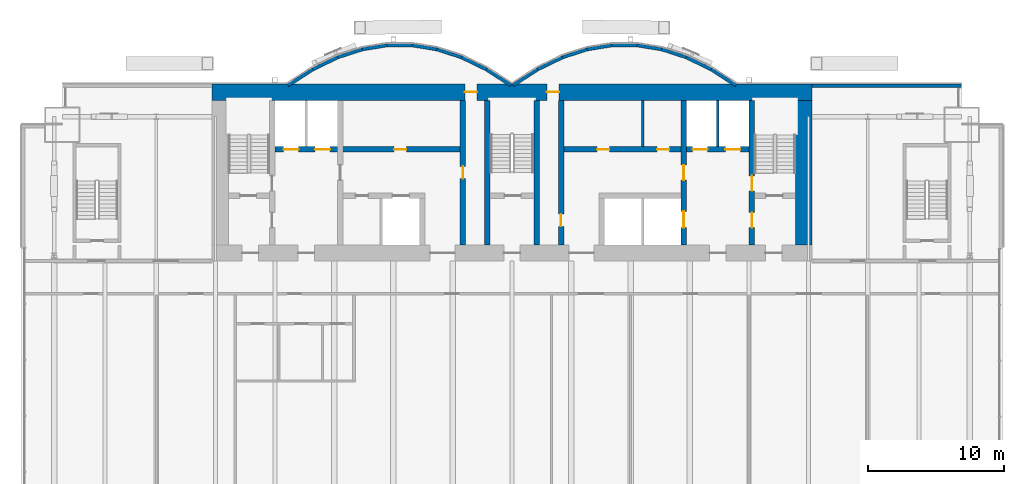
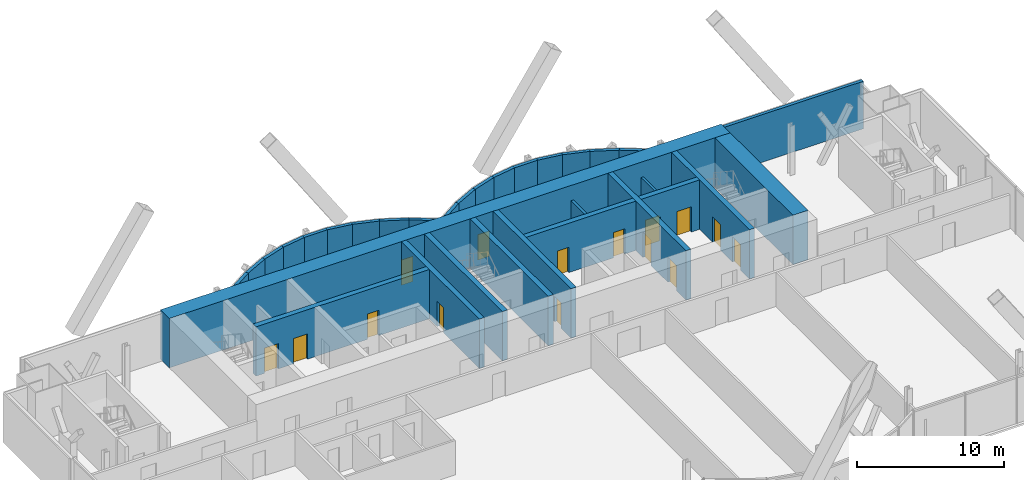
# One storey, part 18 of 22: 31 walls, 15 doors, 15 openings.
"""IFC4 building model written with IfcOpenShell, lengths in metres."""

from ifc_helpers import new_model, si_unit, direction, frame, frame_2d, origin, place, context, subcontext, project, spatial, rectangle, extrude, material, layer, layer_set, layer_usage, type_object, element, fill, save


model = new_model("IFC4")

# Units and contexts
model_context = context("Model", 3, precision=1e-05, world=origin(), true_north=direction((0.0, 1.0)))
body_context = subcontext(model_context, "Body", "Model", "MODEL_VIEW")
ifc_project = project(units=[si_unit("LENGTHUNIT", "METRE"), si_unit("AREAUNIT", "SQUARE_METRE"), si_unit("VOLUMEUNIT", "CUBIC_METRE"), si_unit("PLANEANGLEUNIT", "RADIAN"), si_unit("MASSUNIT", "GRAM", prefix="KILO")], contexts=[model_context])

# Site, building, storey
site_placement = place(None, origin())
site = spatial("IfcSite", under=ifc_project, at=site_placement, CompositionType="ELEMENT")
building_placement = place(site_placement, origin())
building = spatial("IfcBuilding", under=site, at=building_placement, Name="Bicima Exchange Tower", CompositionType="ELEMENT")
storey_placement = place(building_placement, frame((0.0, 0.0, 144.5)))
storey = spatial("IfcBuildingStorey", under=building, at=storey_placement, Name="L31", CompositionType="ELEMENT", Elevation=144.5)

# Walls
ifc_material_1 = material(Name="Gypsum board partition")
ifc_layer_1 = layer(ifc_material_1, 0.199951171875)
ifc_layer_set_1 = layer_set([ifc_layer_1], Name="Gypsum board partition")
wall_type_1 = type_object("IfcWallType", Name="Fire-rated gypsum partition 200 EI120", PredefinedType="PARTITIONING", material=ifc_layer_set_1)
wall_1_placement = place(storey_placement, frame((15.10009765625, -4.60009765625, 0.0), z_axis=(0.0, 0.0, 1.0), x_axis=(0.0, 1.0, 0.0)))
element("IfcWall", 1, at=wall_1_placement, inside=storey, type_object=wall_type_1, Name="partition wall 21", PredefinedType="PARTITIONING", context=body_context, shape_type="SweptSolid", body=[
    extrude(rectangle(XDim=3.400146484375, YDim=0.199951171875, at=frame_2d((1.7001953125, 0.0))), origin(), (0.0, 0.0, 1.0), 2.84033203125),
])
ifc_layer_2 = layer(ifc_material_1, 0.199951171875)
ifc_layer_set_2 = layer_set([ifc_layer_2], Name="Gypsum board partition")
wall_type_2 = type_object("IfcWallType", Name="Fire-rated gypsum partition 200 EI60", PredefinedType="PARTITIONING", material=ifc_layer_set_2)
wall_2_placement = place(storey_placement, frame((9.60009765625, -4.60009765625, 0.0), z_axis=(0.0, 0.0, 1.0), x_axis=(0.0, 1.0, 0.0)))
element("IfcWall", 2, at=wall_2_placement, inside=storey, type_object=wall_type_2, Name="partition wall 19", PredefinedType="PARTITIONING", context=body_context, shape_type="SweptSolid", body=[
    extrude(rectangle(XDim=3.400146484375, YDim=0.199951171875, at=frame_2d((1.7001953125, 0.0))), origin(), (0.0, 0.0, 1.0), 2.84033203125),
])

# Wall, openings, doors
ifc_material_2 = material(Name="Concrete C50/60", Category="concrete")
ifc_layer_3 = layer(ifc_material_2, 1.199951171875)
ifc_layer_set_3 = layer_set([ifc_layer_3], Name="Concrete C50/60")
wall_type_3 = type_object("IfcWallType", Name="RC core wall 1200 C50/60", PredefinedType="SHEAR", material=ifc_layer_set_3)
wall_3_placement = place(storey_placement, frame((-22.0, -0.60009765625, 0.0), z_axis=(0.0, 0.0, 1.0), x_axis=(1.0, 0.0, 0.0)))
wall_3 = element("IfcWall", 3, at=wall_3_placement, inside=storey, type_object=wall_type_3, Name="Core wall north", PredefinedType="SHEAR", context=body_context, shape_type="SweptSolid", body=[
    extrude(rectangle(XDim=44.0, YDim=1.199951171875, at=frame_2d((22.0, 0.0))), origin(), (0.0, 0.0, 1.0), 4.10009765625),
])
opening_1_placement = place(wall_3_placement, frame((18.550048828125, 0.0, 0.0)))
opening_1 = element("IfcOpeningElement", 4, at=opening_1_placement, cuts=wall_3, Name="Opening L31-C16", PredefinedType="OPENING", context=body_context, shape_type="SweptSolid", body=[
    extrude(rectangle(XDim=0.89990234375, YDim=2.10009765625, at=frame_2d((0.449951171875, 1.050048828125))), frame((0.0, 0.61181640625, 0.0), z_axis=(0.0, -1.0, 0.0), x_axis=(1.0, 0.0, 0.0)), (0.0, 0.0, 1.0), 1.223876953125),
])
opening_2_placement = place(wall_3_placement, frame((24.550048828125, 0.0, 0.0)))
opening_2 = element("IfcOpeningElement", 5, at=opening_2_placement, cuts=wall_3, Name="Opening L31-C17", PredefinedType="OPENING", context=body_context, shape_type="SweptSolid", body=[
    extrude(rectangle(XDim=0.89990234375, YDim=2.10009765625, at=frame_2d((0.449951171875, 1.050048828125))), frame((0.0, 0.61181640625, 0.0), z_axis=(0.0, -1.0, 0.0), x_axis=(1.0, 0.0, 0.0)), (0.0, 0.0, 1.0), 1.223876953125),
])
ifc_material_3 = material(Name="Steel fire door leaf", Category="steel")
door_type_1 = type_object("IfcDoorType", Name="Door 900 swing FD30S", OperationType="SINGLE_SWING_LEFT", PredefinedType="DOOR", material=ifc_material_3)
door_1_placement = place(opening_1_placement, origin())
door_1 = element("IfcDoor", 6, at=door_1_placement, inside=storey, type_object=door_type_1, Name="Core door", OperationType="SINGLE_SWING_LEFT", OverallHeight=2.10009765625, OverallWidth=0.89990234375, PredefinedType="DOOR", context=body_context, shape_type="SweptSolid", body=[
    extrude(rectangle(XDim=0.89990234375, YDim=2.10009765625, at=frame_2d((0.449951171875, 1.050048828125))), frame((0.0, 0.02490234375, 0.0), z_axis=(0.0, -1.0, 0.0), x_axis=(1.0, 0.0, 0.0)), (0.0, 0.0, 1.0), 0.050048828125),
])
fill(opening_1, door_1)
door_2_placement = place(opening_2_placement, origin())
door_2 = element("IfcDoor", 7, at=door_2_placement, inside=storey, type_object=door_type_1, Name="Core door", OperationType="SINGLE_SWING_LEFT", OverallHeight=2.10009765625, OverallWidth=0.89990234375, PredefinedType="DOOR", context=body_context, shape_type="SweptSolid", body=[
    extrude(rectangle(XDim=0.89990234375, YDim=2.10009765625, at=frame_2d((0.449951171875, 1.050048828125))), frame((0.0, 0.02490234375, 0.0), z_axis=(0.0, -1.0, 0.0), x_axis=(1.0, 0.0, 0.0)), (0.0, 0.0, 1.0), 0.050048828125),
])
fill(opening_2, door_2)

# Wall
wall_4_placement = place(storey_placement, frame((21.39990234375, -11.800048828125, 0.0), z_axis=(0.0, 0.0, 1.0), x_axis=(0.0, 1.0, 0.0)))
element("IfcWall", 8, at=wall_4_placement, inside=storey, type_object=wall_type_3, Name="Core wall east", PredefinedType="SHEAR", context=body_context, shape_type="SweptSolid", body=[
    extrude(rectangle(XDim=10.60009765625, YDim=1.199951171875, at=frame_2d((5.300048828125, 0.0))), origin(), (0.0, 0.0, 1.0), 4.10009765625),
])

# Wall, openings, doors
ifc_layer_4 = layer(ifc_material_2, 0.39990234375)
ifc_layer_set_4 = layer_set([ifc_layer_4], Name="Concrete C50/60")
wall_type_4 = type_object("IfcWallType", Name="RC core wall 400 C50/60", PredefinedType="SHEAR", material=ifc_layer_set_4)
wall_5_placement = place(storey_placement, frame((-17.39990234375, -4.800048828125, 0.0), z_axis=(0.0, 0.0, 1.0), x_axis=(1.0, 0.0, 0.0)))
wall_5 = element("IfcWall", 9, at=wall_5_placement, inside=storey, type_object=wall_type_4, Name="shear wall 6", PredefinedType="SHEAR", context=body_context, shape_type="SweptSolid", body=[
    extrude(rectangle(XDim=13.599853515625, YDim=0.39990234375, at=frame_2d((6.7998046875, 0.0))), origin(), (0.0, 0.0, 1.0), 4.10009765625),
])
opening_3_placement = place(wall_5_placement, frame((0.64990234375, 0.0, 0.0)))
opening_3 = element("IfcOpeningElement", 10, at=opening_3_placement, cuts=wall_5, Name="Opening LD-FF1-L31", PredefinedType="OPENING", context=body_context, shape_type="SweptSolid", body=[
    extrude(rectangle(XDim=1.10009765625, YDim=2.10009765625, at=frame_2d((0.550048828125, 1.050048828125))), frame((0.0, 0.2119140625, 0.0), z_axis=(0.0, -1.0, 0.0), x_axis=(1.0, 0.0, 0.0)), (0.0, 0.0, 1.0), 0.423828125),
])
opening_4_placement = place(wall_5_placement, frame((2.949951171875, 0.0, 0.0)))
opening_4 = element("IfcOpeningElement", 11, at=opening_4_placement, cuts=wall_5, Name="Opening LD-FF3-L31", PredefinedType="OPENING", context=body_context, shape_type="SweptSolid", body=[
    extrude(rectangle(XDim=1.10009765625, YDim=2.10009765625, at=frame_2d((0.550048828125, 1.050048828125))), frame((0.0, 0.2119140625, 0.0), z_axis=(0.0, -1.0, 0.0), x_axis=(1.0, 0.0, 0.0)), (0.0, 0.0, 1.0), 0.423828125),
])
opening_5_placement = place(wall_5_placement, frame((8.75, 0.0, 0.0)))
opening_5 = element("IfcOpeningElement", 12, at=opening_5_placement, cuts=wall_5, Name="Opening L31-C12", PredefinedType="OPENING", context=body_context, shape_type="SweptSolid", body=[
    extrude(rectangle(XDim=0.89990234375, YDim=2.10009765625, at=frame_2d((0.449951171875, 1.050048828125))), frame((0.0, 0.2119140625, 0.0), z_axis=(0.0, -1.0, 0.0), x_axis=(1.0, 0.0, 0.0)), (0.0, 0.0, 1.0), 0.423828125),
])
door_3_placement = place(opening_5_placement, origin())
door_3 = element("IfcDoor", 13, at=door_3_placement, inside=storey, type_object=door_type_1, Name="Core door", OperationType="SINGLE_SWING_RIGHT", OverallHeight=2.10009765625, OverallWidth=0.89990234375, PredefinedType="DOOR", context=body_context, shape_type="SweptSolid", body=[
    extrude(rectangle(XDim=0.89990234375, YDim=2.10009765625, at=frame_2d((0.449951171875, 1.050048828125))), frame((0.0, 0.02490234375, 0.0), z_axis=(0.0, -1.0, 0.0), x_axis=(1.0, 0.0, 0.0)), (0.0, 0.0, 1.0), 0.050048828125),
])
fill(opening_5, door_3)
ifc_material_4 = material(Name="Stainless steel", Category="steel")
door_type_2 = type_object("IfcDoorType", Name="Lift landing door 1100 sliding", OperationType="DOUBLE_DOOR_SLIDING", PredefinedType="DOOR", material=ifc_material_4)
door_4_placement = place(opening_3_placement, origin())
door_4 = element("IfcDoor", 14, at=door_4_placement, inside=storey, type_object=door_type_2, Name="Lift landing door FF1", OperationType="DOUBLE_DOOR_SLIDING", OverallHeight=2.10009765625, OverallWidth=1.10009765625, PredefinedType="DOOR", context=body_context, shape_type="SweptSolid", body=[
    extrude(rectangle(XDim=1.10009765625, YDim=2.10009765625, at=frame_2d((0.550048828125, 1.050048828125))), frame((0.0, 0.02490234375, 0.0), z_axis=(0.0, -1.0, 0.0), x_axis=(1.0, 0.0, 0.0)), (0.0, 0.0, 1.0), 0.050048828125),
])
fill(opening_3, door_4)
door_5_placement = place(opening_4_placement, origin())
door_5 = element("IfcDoor", 15, at=door_5_placement, inside=storey, type_object=door_type_2, Name="Lift landing door FF3", OperationType="DOUBLE_DOOR_SLIDING", OverallHeight=2.10009765625, OverallWidth=1.10009765625, PredefinedType="DOOR", context=body_context, shape_type="SweptSolid", body=[
    extrude(rectangle(XDim=1.10009765625, YDim=2.10009765625, at=frame_2d((0.550048828125, 1.050048828125))), frame((0.0, 0.02490234375, 0.0), z_axis=(0.0, -1.0, 0.0), x_axis=(1.0, 0.0, 0.0)), (0.0, 0.0, 1.0), 0.050048828125),
])
fill(opening_4, door_5)

wall_6_placement = place(storey_placement, frame((3.800048828125, -4.800048828125, 0.0), z_axis=(0.0, 0.0, 1.0), x_axis=(1.0, 0.0, 0.0)))
wall_6 = element("IfcWall", 16, at=wall_6_placement, inside=storey, type_object=wall_type_4, Name="shear wall 7", PredefinedType="SHEAR", context=body_context, shape_type="SweptSolid", body=[
    extrude(rectangle(XDim=13.599853515625, YDim=0.39990234375, at=frame_2d((6.7998046875, 0.0))), origin(), (0.0, 0.0, 1.0), 4.10009765625),
])
opening_6_placement = place(wall_6_placement, frame((9.449951171875, 0.0, 0.0)))
opening_6 = element("IfcOpeningElement", 17, at=opening_6_placement, cuts=wall_6, Name="Opening LD-FF2-L31", PredefinedType="OPENING", context=body_context, shape_type="SweptSolid", body=[
    extrude(rectangle(XDim=1.10009765625, YDim=2.10009765625, at=frame_2d((0.550048828125, 1.050048828125))), frame((0.0, 0.2119140625, 0.0), z_axis=(0.0, -1.0, 0.0), x_axis=(1.0, 0.0, 0.0)), (0.0, 0.0, 1.0), 0.423828125),
])
opening_7_placement = place(wall_6_placement, frame((11.85009765625, 0.0, 0.0)))
opening_7 = element("IfcOpeningElement", 18, at=opening_7_placement, cuts=wall_6, Name="Opening LD-SV1-L31", PredefinedType="OPENING", context=body_context, shape_type="SweptSolid", body=[
    extrude(rectangle(XDim=1.10009765625, YDim=2.10009765625, at=frame_2d((0.550048828125, 1.050048828125))), frame((0.0, 0.2119140625, 0.0), z_axis=(0.0, -1.0, 0.0), x_axis=(1.0, 0.0, 0.0)), (0.0, 0.0, 1.0), 0.423828125),
])
opening_8_placement = place(wall_6_placement, frame((2.449951171875, 0.0, 0.0)))
opening_8 = element("IfcOpeningElement", 19, at=opening_8_placement, cuts=wall_6, Name="Opening L31-C13", PredefinedType="OPENING", context=body_context, shape_type="SweptSolid", body=[
    extrude(rectangle(XDim=0.89990234375, YDim=2.10009765625, at=frame_2d((0.449951171875, 1.050048828125))), frame((0.0, 0.2119140625, 0.0), z_axis=(0.0, -1.0, 0.0), x_axis=(1.0, 0.0, 0.0)), (0.0, 0.0, 1.0), 0.423828125),
])
opening_9_placement = place(wall_6_placement, frame((6.85009765625, 0.0, 0.0)))
opening_9 = element("IfcOpeningElement", 20, at=opening_9_placement, cuts=wall_6, Name="Opening L31-C14", PredefinedType="OPENING", context=body_context, shape_type="SweptSolid", body=[
    extrude(rectangle(XDim=0.89990234375, YDim=2.10009765625, at=frame_2d((0.449951171875, 1.050048828125))), frame((0.0, 0.2119140625, 0.0), z_axis=(0.0, -1.0, 0.0), x_axis=(1.0, 0.0, 0.0)), (0.0, 0.0, 1.0), 0.423828125),
])
door_6_placement = place(opening_8_placement, origin())
door_6 = element("IfcDoor", 21, at=door_6_placement, inside=storey, type_object=door_type_1, Name="Core door", OperationType="SINGLE_SWING_LEFT", OverallHeight=2.10009765625, OverallWidth=0.89990234375, PredefinedType="DOOR", context=body_context, shape_type="SweptSolid", body=[
    extrude(rectangle(XDim=0.89990234375, YDim=2.10009765625, at=frame_2d((0.449951171875, 1.050048828125))), frame((0.0, 0.02490234375, 0.0), z_axis=(0.0, -1.0, 0.0), x_axis=(1.0, 0.0, 0.0)), (0.0, 0.0, 1.0), 0.050048828125),
])
fill(opening_8, door_6)
door_7_placement = place(opening_9_placement, origin())
door_7 = element("IfcDoor", 22, at=door_7_placement, inside=storey, type_object=door_type_1, Name="Core door", OperationType="SINGLE_SWING_RIGHT", OverallHeight=2.10009765625, OverallWidth=0.89990234375, PredefinedType="DOOR", context=body_context, shape_type="SweptSolid", body=[
    extrude(rectangle(XDim=0.89990234375, YDim=2.10009765625, at=frame_2d((0.449951171875, 1.050048828125))), frame((0.0, 0.02490234375, 0.0), z_axis=(0.0, -1.0, 0.0), x_axis=(1.0, 0.0, 0.0)), (0.0, 0.0, 1.0), 0.050048828125),
])
fill(opening_9, door_7)
door_8_placement = place(opening_6_placement, origin())
door_8 = element("IfcDoor", 23, at=door_8_placement, inside=storey, type_object=door_type_2, Name="Lift landing door FF2", OperationType="DOUBLE_DOOR_SLIDING", OverallHeight=2.10009765625, OverallWidth=1.10009765625, PredefinedType="DOOR", context=body_context, shape_type="SweptSolid", body=[
    extrude(rectangle(XDim=1.10009765625, YDim=2.10009765625, at=frame_2d((0.550048828125, 1.050048828125))), frame((0.0, 0.02490234375, 0.0), z_axis=(0.0, -1.0, 0.0), x_axis=(1.0, 0.0, 0.0)), (0.0, 0.0, 1.0), 0.050048828125),
])
fill(opening_6, door_8)
door_9_placement = place(opening_7_placement, origin())
door_9 = element("IfcDoor", 24, at=door_9_placement, inside=storey, type_object=door_type_2, Name="Lift landing door SV1", OperationType="DOUBLE_DOOR_SLIDING", OverallHeight=2.10009765625, OverallWidth=1.10009765625, PredefinedType="DOOR", context=body_context, shape_type="SweptSolid", body=[
    extrude(rectangle(XDim=1.10009765625, YDim=2.10009765625, at=frame_2d((0.550048828125, 1.050048828125))), frame((0.0, 0.02490234375, 0.0), z_axis=(0.0, -1.0, 0.0), x_axis=(1.0, 0.0, 0.0)), (0.0, 0.0, 1.0), 0.050048828125),
])
fill(opening_7, door_9)

# Wall, opening, door
wall_7_placement = place(storey_placement, frame((-3.60009765625, -11.800048828125, 0.0), z_axis=(0.0, 0.0, 1.0), x_axis=(0.0, 1.0, 0.0)))
wall_7 = element("IfcWall", 25, at=wall_7_placement, inside=storey, type_object=wall_type_4, Name="shear wall 13", PredefinedType="SHEAR", context=body_context, shape_type="SweptSolid", body=[
    extrude(rectangle(XDim=10.60009765625, YDim=0.39990234375, at=frame_2d((5.300048828125, 0.0))), origin(), (0.0, 0.0, 1.0), 4.10009765625),
])
opening_10_placement = place(wall_7_placement, frame((4.85009765625, 0.0, 0.0)))
opening_10 = element("IfcOpeningElement", 26, at=opening_10_placement, cuts=wall_7, Name="Opening L31-C10", PredefinedType="OPENING", context=body_context, shape_type="SweptSolid", body=[
    extrude(rectangle(XDim=0.89990234375, YDim=2.10009765625, at=frame_2d((0.449951171875, 1.050048828125))), frame((0.0, 0.2119140625, 0.0), z_axis=(0.0, -1.0, 0.0), x_axis=(1.0, 0.0, 0.0)), (0.0, 0.0, 1.0), 0.423828125),
])
door_10_placement = place(opening_10_placement, frame((0.89990234375, 0.0, 0.0), z_axis=(0.0, 0.0, 1.0), x_axis=(-1.0, 0.0, 0.0)))
door_10 = element("IfcDoor", 27, at=door_10_placement, inside=storey, type_object=door_type_1, Name="Core door", OperationType="SINGLE_SWING_LEFT", OverallHeight=2.10009765625, OverallWidth=0.89990234375, PredefinedType="DOOR", context=body_context, shape_type="SweptSolid", body=[
    extrude(rectangle(XDim=0.89990234375, YDim=2.10009765625, at=frame_2d((0.449951171875, 1.050048828125))), frame((0.0, 0.02490234375, 0.0), z_axis=(0.0, -1.0, 0.0), x_axis=(1.0, 0.0, 0.0)), (0.0, 0.0, 1.0), 0.050048828125),
])
fill(opening_10, door_10)

# Walls
for number, where, z_axis, x_axis, name in (
    (28, (-1.800048828125, -11.800048828125, 0.0), (0.0, 0.0, 1.0), (0.0, 1.0, 0.0), "stair wall 14"),
    (29, (1.800048828125, -11.800048828125, 0.0), (0.0, 0.0, 1.0), (0.0, 1.0, 0.0), "stair wall 15"),
):
    element("IfcWall", number, at=place(storey_placement, frame(where, z_axis=z_axis, x_axis=x_axis)), inside=storey, type_object=wall_type_4, Name=name, PredefinedType="SHEAR", context=body_context, shape_type="SweptSolid", body=[
        extrude(rectangle(XDim=10.60009765625, YDim=0.39990234375, at=frame_2d((5.300048828125, 0.0))), origin(), (0.0, 0.0, 1.0), 4.10009765625),
    ])

# Wall, opening, door
wall_8_placement = place(storey_placement, frame((3.60009765625, -11.800048828125, 0.0), z_axis=(0.0, 0.0, 1.0), x_axis=(0.0, 1.0, 0.0)))
wall_8 = element("IfcWall", 30, at=wall_8_placement, inside=storey, type_object=wall_type_4, Name="shear wall 16", PredefinedType="SHEAR", context=body_context, shape_type="SweptSolid", body=[
    extrude(rectangle(XDim=10.60009765625, YDim=0.39990234375, at=frame_2d((5.300048828125, 0.0))), origin(), (0.0, 0.0, 1.0), 4.10009765625),
])
opening_11_placement = place(wall_8_placement, frame((1.35009765625, 0.0, 0.0)))
opening_11 = element("IfcOpeningElement", 31, at=opening_11_placement, cuts=wall_8, Name="Opening L31-C11", PredefinedType="OPENING", context=body_context, shape_type="SweptSolid", body=[
    extrude(rectangle(XDim=0.89990234375, YDim=2.10009765625, at=frame_2d((0.449951171875, 1.050048828125))), frame((0.0, 0.2119140625, 0.0), z_axis=(0.0, -1.0, 0.0), x_axis=(1.0, 0.0, 0.0)), (0.0, 0.0, 1.0), 0.423828125),
])
door_11_placement = place(opening_11_placement, origin())
door_11 = element("IfcDoor", 32, at=door_11_placement, inside=storey, type_object=door_type_1, Name="Core door", OperationType="SINGLE_SWING_LEFT", OverallHeight=2.10009765625, OverallWidth=0.89990234375, PredefinedType="DOOR", context=body_context, shape_type="SweptSolid", body=[
    extrude(rectangle(XDim=0.89990234375, YDim=2.10009765625, at=frame_2d((0.449951171875, 1.050048828125))), frame((0.0, 0.02490234375, 0.0), z_axis=(0.0, -1.0, 0.0), x_axis=(1.0, 0.0, 0.0)), (0.0, 0.0, 1.0), 0.050048828125),
])
fill(opening_11, door_11)

# Wall, openings, doors
wall_9_placement = place(storey_placement, frame((12.60009765625, -11.800048828125, 0.0), z_axis=(0.0, 0.0, 1.0), x_axis=(0.0, 1.0, 0.0)))
wall_9 = element("IfcWall", 33, at=wall_9_placement, inside=storey, type_object=wall_type_4, Name="shear wall 20", PredefinedType="SHEAR", context=body_context, shape_type="SweptSolid", body=[
    extrude(rectangle(XDim=10.60009765625, YDim=0.39990234375, at=frame_2d((5.300048828125, 0.0))), origin(), (0.0, 0.0, 1.0), 4.10009765625),
])
opening_12_placement = place(wall_9_placement, frame((1.25, 0.0, 0.0)))
opening_12 = element("IfcOpeningElement", 34, at=opening_12_placement, cuts=wall_9, Name="Opening LD-MB2-L31", PredefinedType="OPENING", context=body_context, shape_type="SweptSolid", body=[
    extrude(rectangle(XDim=1.199951171875, YDim=2.10009765625, at=frame_2d((0.60009765625, 1.050048828125))), frame((0.0, 0.2119140625, 0.0), z_axis=(0.0, -1.0, 0.0), x_axis=(1.0, 0.0, 0.0)), (0.0, 0.0, 1.0), 0.423828125),
])
opening_13_placement = place(wall_9_placement, frame((4.75, 0.0, 0.0)))
opening_13 = element("IfcOpeningElement", 35, at=opening_13_placement, cuts=wall_9, Name="Opening L31-C09", PredefinedType="OPENING", context=body_context, shape_type="SweptSolid", body=[
    extrude(rectangle(XDim=1.10009765625, YDim=2.10009765625, at=frame_2d((0.550048828125, 1.050048828125))), frame((0.0, 0.2119140625, 0.0), z_axis=(0.0, -1.0, 0.0), x_axis=(1.0, 0.0, 0.0)), (0.0, 0.0, 1.0), 0.423828125),
])
door_type_3 = type_object("IfcDoorType", Name="Door 1100 swing FD60S", OperationType="SINGLE_SWING_LEFT", PredefinedType="DOOR", material=ifc_material_3)
door_12_placement = place(opening_13_placement, frame((1.10009765625, 0.0, 0.0), z_axis=(0.0, 0.0, 1.0), x_axis=(-1.0, 0.0, 0.0)))
door_12 = element("IfcDoor", 36, at=door_12_placement, inside=storey, type_object=door_type_3, Name="Core door", OperationType="SINGLE_SWING_RIGHT", OverallHeight=2.10009765625, OverallWidth=1.10009765625, PredefinedType="DOOR", context=body_context, shape_type="SweptSolid", body=[
    extrude(rectangle(XDim=1.10009765625, YDim=2.10009765625, at=frame_2d((0.550048828125, 1.050048828125))), frame((0.0, 0.02490234375, 0.0), z_axis=(0.0, -1.0, 0.0), x_axis=(1.0, 0.0, 0.0)), (0.0, 0.0, 1.0), 0.050048828125),
])
fill(opening_13, door_12)
door_type_4 = type_object("IfcDoorType", Name="Lift landing door 1200 sliding", OperationType="DOUBLE_DOOR_SLIDING", PredefinedType="DOOR", material=ifc_material_4)
door_13_placement = place(opening_12_placement, origin())
door_13 = element("IfcDoor", 37, at=door_13_placement, inside=storey, type_object=door_type_4, Name="Lift landing door MB2", OperationType="DOUBLE_DOOR_SLIDING", OverallHeight=2.10009765625, OverallWidth=1.199951171875, PredefinedType="DOOR", context=body_context, shape_type="SweptSolid", body=[
    extrude(rectangle(XDim=1.199951171875, YDim=2.10009765625, at=frame_2d((0.60009765625, 1.050048828125))), frame((0.0, 0.02490234375, 0.0), z_axis=(0.0, -1.0, 0.0), x_axis=(1.0, 0.0, 0.0)), (0.0, 0.0, 1.0), 0.050048828125),
])
fill(opening_12, door_13)

wall_10_placement = place(storey_placement, frame((17.60009765625, -11.800048828125, 0.0), z_axis=(0.0, 0.0, 1.0), x_axis=(0.0, 1.0, 0.0)))
wall_10 = element("IfcWall", 38, at=wall_10_placement, inside=storey, type_object=wall_type_4, Name="stair wall 22", PredefinedType="SHEAR", context=body_context, shape_type="SweptSolid", body=[
    extrude(rectangle(XDim=10.60009765625, YDim=0.39990234375, at=frame_2d((5.300048828125, 0.0))), origin(), (0.0, 0.0, 1.0), 4.10009765625),
])
opening_14_placement = place(wall_10_placement, frame((1.25, 0.0, 0.0)))
opening_14 = element("IfcOpeningElement", 39, at=opening_14_placement, cuts=wall_10, Name="Opening L31-C05", PredefinedType="OPENING", context=body_context, shape_type="SweptSolid", body=[
    extrude(rectangle(XDim=1.10009765625, YDim=2.10009765625, at=frame_2d((0.550048828125, 1.050048828125))), frame((0.0, 0.2119140625, 0.0), z_axis=(0.0, -1.0, 0.0), x_axis=(1.0, 0.0, 0.0)), (0.0, 0.0, 1.0), 0.423828125),
])
opening_15_placement = place(wall_10_placement, frame((3.949951171875, 0.0, 0.0)))
opening_15 = element("IfcOpeningElement", 40, at=opening_15_placement, cuts=wall_10, Name="Opening L31-C08", PredefinedType="OPENING", context=body_context, shape_type="SweptSolid", body=[
    extrude(rectangle(XDim=1.10009765625, YDim=2.10009765625, at=frame_2d((0.550048828125, 1.050048828125))), frame((0.0, 0.2119140625, 0.0), z_axis=(0.0, -1.0, 0.0), x_axis=(1.0, 0.0, 0.0)), (0.0, 0.0, 1.0), 0.423828125),
])
door_14_placement = place(opening_14_placement, origin())
door_14 = element("IfcDoor", 41, at=door_14_placement, inside=storey, type_object=door_type_3, Name="Core door", OperationType="SINGLE_SWING_LEFT", OverallHeight=2.10009765625, OverallWidth=1.10009765625, PredefinedType="DOOR", context=body_context, shape_type="SweptSolid", body=[
    extrude(rectangle(XDim=1.10009765625, YDim=2.10009765625, at=frame_2d((0.550048828125, 1.050048828125))), frame((0.0, 0.02490234375, 0.0), z_axis=(0.0, -1.0, 0.0), x_axis=(1.0, 0.0, 0.0)), (0.0, 0.0, 1.0), 0.050048828125),
])
fill(opening_14, door_14)
door_15_placement = place(opening_15_placement, origin())
door_15 = element("IfcDoor", 42, at=door_15_placement, inside=storey, type_object=door_type_3, Name="Core door", OperationType="SINGLE_SWING_RIGHT", OverallHeight=2.10009765625, OverallWidth=1.10009765625, PredefinedType="DOOR", context=body_context, shape_type="SweptSolid", body=[
    extrude(rectangle(XDim=1.10009765625, YDim=2.10009765625, at=frame_2d((0.550048828125, 1.050048828125))), frame((0.0, 0.02490234375, 0.0), z_axis=(0.0, -1.0, 0.0), x_axis=(1.0, 0.0, 0.0)), (0.0, 0.0, 1.0), 0.050048828125),
])
fill(opening_15, door_15)

# Walls
ifc_material_5 = material(Name="Concrete C40/50", Category="concrete")
ifc_layer_5 = layer(ifc_material_5, 0.25)
ifc_layer_set_5 = layer_set([ifc_layer_5], Name="Concrete C40/50")
ifc_layer_usage = layer_usage(ifc_layer_set_5, "AXIS2", "POSITIVE", -0.125)
wall_type_5 = type_object("IfcWallType", Name="Rear backup wall 250", PredefinedType="STANDARD", material=ifc_layer_set_5)
wall_11_placement = place(storey_placement, frame((33.0, -0.125, 0.0), z_axis=(0.0, 0.0, 1.0), x_axis=(-1.0, 0.0, 0.0)))
element("IfcWall", 43, at=wall_11_placement, inside=storey, type_object=wall_type_5, material=ifc_layer_usage, Name="Rear backup wall L31 1", PredefinedType="STANDARD", context=body_context, shape_type="SweptSolid", body=[
    extrude(rectangle(XDim=11.0, YDim=0.25, at=frame_2d((5.5, 0.0))), origin(), (0.0, 0.0, 1.0), 3.949951171875),
])
wall_12_placement = place(storey_placement, frame((16.43212890625, -0.10498046875, 0.0), z_axis=(0.0, 0.0, 1.0), x_axis=(-0.83981312244, 0.542875602121, 0.0)))
element("IfcWall", 44, at=wall_12_placement, inside=storey, type_object=wall_type_5, material=ifc_layer_usage, Name="Rear backup wall L31 2", PredefinedType="STANDARD", context=body_context, shape_type="SweptSolid", body=[
    extrude(rectangle(XDim=2.182861328125, YDim=0.25, at=frame_2d((1.09130859375, 0.0))), origin(), (0.0, 0.0, 1.0), 3.949951171875),
])
wall_13_placement = place(storey_placement, frame((14.6123046875, 1.07275390625, 0.0), z_axis=(0.0, 0.0, 1.0), x_axis=(-0.89982408427, 0.436252928206, 0.0)))
element("IfcWall", 45, at=wall_13_placement, inside=storey, type_object=wall_type_5, material=ifc_layer_usage, Name="Rear backup wall L31 3", PredefinedType="STANDARD", context=body_context, shape_type="SweptSolid", body=[
    extrude(rectangle(XDim=2.03759765625, YDim=0.25, at=frame_2d((1.018798828125, 0.0))), origin(), (0.0, 0.0, 1.0), 3.949951171875),
])
wall_14_placement = place(storey_placement, frame((12.794921875, 1.955078125, 0.0), z_axis=(0.0, 0.0, 1.0), x_axis=(-0.951495806175, 0.307661714928, 0.0)))
element("IfcWall", 46, at=wall_14_placement, inside=storey, type_object=wall_type_5, material=ifc_layer_usage, Name="Rear backup wall L31 4", PredefinedType="STANDARD", context=body_context, shape_type="SweptSolid", body=[
    extrude(rectangle(XDim=1.9267578125, YDim=0.25, at=frame_2d((0.96337890625, 0.0))), origin(), (0.0, 0.0, 1.0), 3.949951171875),
])
wall_15_placement = place(storey_placement, frame((10.97998046875, 2.543212890625, 0.0), z_axis=(0.0, 0.0, 1.0), x_axis=(-0.987181718931, 0.159600293885, 0.0)))
element("IfcWall", 47, at=wall_15_placement, inside=storey, type_object=wall_type_5, material=ifc_layer_usage, Name="Rear backup wall L31 5", PredefinedType="STANDARD", context=body_context, shape_type="SweptSolid", body=[
    extrude(rectangle(XDim=1.857177734375, YDim=0.25, at=frame_2d((0.9287109375, 0.0))), origin(), (0.0, 0.0, 1.0), 3.949951171875),
])
wall_16_placement = place(storey_placement, frame((9.166748046875, 2.837890625, 0.0), z_axis=(0.0, 0.0, 1.0), x_axis=(-1.0, 0.0, 0.0)))
element("IfcWall", 48, at=wall_16_placement, inside=storey, type_object=wall_type_5, material=ifc_layer_usage, Name="Rear backup wall L31 6", PredefinedType="STANDARD", context=body_context, shape_type="SweptSolid", body=[
    extrude(rectangle(XDim=1.83349609375, YDim=0.25, at=frame_2d((0.916748046875, 0.0))), origin(), (0.0, 0.0, 1.0), 3.949951171875),
])
wall_17_placement = place(storey_placement, frame((7.353271484375, 2.839599609375, 0.0), z_axis=(0.0, 0.0, 1.0), x_axis=(-0.987181718931, -0.159600293885, 0.0)))
element("IfcWall", 49, at=wall_17_placement, inside=storey, type_object=wall_type_5, material=ifc_layer_usage, Name="Rear backup wall L31 7", PredefinedType="STANDARD", context=body_context, shape_type="SweptSolid", body=[
    extrude(rectangle(XDim=1.857177734375, YDim=0.25, at=frame_2d((0.9287109375, 0.0))), origin(), (0.0, 0.0, 1.0), 3.949951171875),
])
wall_18_placement = place(storey_placement, frame((5.538330078125, 2.5478515625, 0.0), z_axis=(0.0, 0.0, 1.0), x_axis=(-0.951495806175, -0.307661714928, 0.0)))
element("IfcWall", 50, at=wall_18_placement, inside=storey, type_object=wall_type_5, material=ifc_layer_usage, Name="Rear backup wall L31 8", PredefinedType="STANDARD", context=body_context, shape_type="SweptSolid", body=[
    extrude(rectangle(XDim=1.9267578125, YDim=0.25, at=frame_2d((0.96337890625, 0.0))), origin(), (0.0, 0.0, 1.0), 3.949951171875),
])
wall_19_placement = place(storey_placement, frame((3.72119140625, 1.961669921875, 0.0), z_axis=(0.0, 0.0, 1.0), x_axis=(-0.89982408427, -0.436252928206, 0.0)))
element("IfcWall", 51, at=wall_19_placement, inside=storey, type_object=wall_type_5, material=ifc_layer_usage, Name="Rear backup wall L31 9", PredefinedType="STANDARD", context=body_context, shape_type="SweptSolid", body=[
    extrude(rectangle(XDim=2.03759765625, YDim=0.25, at=frame_2d((1.018798828125, 0.0))), origin(), (0.0, 0.0, 1.0), 3.949951171875),
])
for number, where, z_axis, x_axis, name in (
    (52, (1.901123046875, 1.080078125, 0.0), (0.0, 0.0, 1.0), (-0.83981312244, -0.542875602121, 0.0), "Rear backup wall L31 10"),
    (53, (-0.06787109375, -0.10498046875, 0.0), (0.0, 0.0, 1.0), (-0.83981312244, 0.542875602121, 0.0), "Rear backup wall L31 11"),
):
    element("IfcWall", number, at=place(storey_placement, frame(where, z_axis=z_axis, x_axis=x_axis)), inside=storey, type_object=wall_type_5, material=ifc_layer_usage, Name=name, PredefinedType="STANDARD", context=body_context, shape_type="SweptSolid", body=[
        extrude(rectangle(XDim=2.182861328125, YDim=0.25, at=frame_2d((1.09130859375, 0.0))), origin(), (0.0, 0.0, 1.0), 3.949951171875),
    ])
wall_20_placement = place(storey_placement, frame((-1.8876953125, 1.07275390625, 0.0), z_axis=(0.0, 0.0, 1.0), x_axis=(-0.89982408427, 0.436252928206, 0.0)))
element("IfcWall", 54, at=wall_20_placement, inside=storey, type_object=wall_type_5, material=ifc_layer_usage, Name="Rear backup wall L31 12", PredefinedType="STANDARD", context=body_context, shape_type="SweptSolid", body=[
    extrude(rectangle(XDim=2.03759765625, YDim=0.25, at=frame_2d((1.018798828125, 0.0))), origin(), (0.0, 0.0, 1.0), 3.949951171875),
])
wall_21_placement = place(storey_placement, frame((-3.705078125, 1.955078125, 0.0), z_axis=(0.0, 0.0, 1.0), x_axis=(-0.951495806175, 0.307661714928, 0.0)))
element("IfcWall", 55, at=wall_21_placement, inside=storey, type_object=wall_type_5, material=ifc_layer_usage, Name="Rear backup wall L31 13", PredefinedType="STANDARD", context=body_context, shape_type="SweptSolid", body=[
    extrude(rectangle(XDim=1.9267578125, YDim=0.25, at=frame_2d((0.96337890625, 0.0))), origin(), (0.0, 0.0, 1.0), 3.949951171875),
])
wall_22_placement = place(storey_placement, frame((-5.52001953125, 2.543212890625, 0.0), z_axis=(0.0, 0.0, 1.0), x_axis=(-0.987181718931, 0.159600293885, 0.0)))
element("IfcWall", 56, at=wall_22_placement, inside=storey, type_object=wall_type_5, material=ifc_layer_usage, Name="Rear backup wall L31 14", PredefinedType="STANDARD", context=body_context, shape_type="SweptSolid", body=[
    extrude(rectangle(XDim=1.857177734375, YDim=0.25, at=frame_2d((0.9287109375, 0.0))), origin(), (0.0, 0.0, 1.0), 3.949951171875),
])
wall_23_placement = place(storey_placement, frame((-7.333251953125, 2.837890625, 0.0), z_axis=(0.0, 0.0, 1.0), x_axis=(-1.0, 0.0, 0.0)))
element("IfcWall", 57, at=wall_23_placement, inside=storey, type_object=wall_type_5, material=ifc_layer_usage, Name="Rear backup wall L31 15", PredefinedType="STANDARD", context=body_context, shape_type="SweptSolid", body=[
    extrude(rectangle(XDim=1.83349609375, YDim=0.25, at=frame_2d((0.916748046875, 0.0))), origin(), (0.0, 0.0, 1.0), 3.949951171875),
])
wall_24_placement = place(storey_placement, frame((-9.146728515625, 2.839599609375, 0.0), z_axis=(0.0, 0.0, 1.0), x_axis=(-0.987181718931, -0.159600293885, 0.0)))
element("IfcWall", 58, at=wall_24_placement, inside=storey, type_object=wall_type_5, material=ifc_layer_usage, Name="Rear backup wall L31 16", PredefinedType="STANDARD", context=body_context, shape_type="SweptSolid", body=[
    extrude(rectangle(XDim=1.857177734375, YDim=0.25, at=frame_2d((0.9287109375, 0.0))), origin(), (0.0, 0.0, 1.0), 3.949951171875),
])
wall_25_placement = place(storey_placement, frame((-10.961669921875, 2.5478515625, 0.0), z_axis=(0.0, 0.0, 1.0), x_axis=(-0.951495806175, -0.307661714928, 0.0)))
element("IfcWall", 59, at=wall_25_placement, inside=storey, type_object=wall_type_5, material=ifc_layer_usage, Name="Rear backup wall L31 17", PredefinedType="STANDARD", context=body_context, shape_type="SweptSolid", body=[
    extrude(rectangle(XDim=1.9267578125, YDim=0.25, at=frame_2d((0.96337890625, 0.0))), origin(), (0.0, 0.0, 1.0), 3.949951171875),
])
wall_26_placement = place(storey_placement, frame((-12.77880859375, 1.961669921875, 0.0), z_axis=(0.0, 0.0, 1.0), x_axis=(-0.89982408427, -0.436252928206, 0.0)))
element("IfcWall", 60, at=wall_26_placement, inside=storey, type_object=wall_type_5, material=ifc_layer_usage, Name="Rear backup wall L31 18", PredefinedType="STANDARD", context=body_context, shape_type="SweptSolid", body=[
    extrude(rectangle(XDim=2.03759765625, YDim=0.25, at=frame_2d((1.018798828125, 0.0))), origin(), (0.0, 0.0, 1.0), 3.949951171875),
])
wall_27_placement = place(storey_placement, frame((-14.598876953125, 1.080078125, 0.0), z_axis=(0.0, 0.0, 1.0), x_axis=(-0.83981312244, -0.542875602121, 0.0)))
element("IfcWall", 61, at=wall_27_placement, inside=storey, type_object=wall_type_5, material=ifc_layer_usage, Name="Rear backup wall L31 19", PredefinedType="STANDARD", context=body_context, shape_type="SweptSolid", body=[
    extrude(rectangle(XDim=2.182861328125, YDim=0.25, at=frame_2d((1.09130859375, 0.0))), origin(), (0.0, 0.0, 1.0), 3.949951171875),
])

save(model, "model.ifc")
